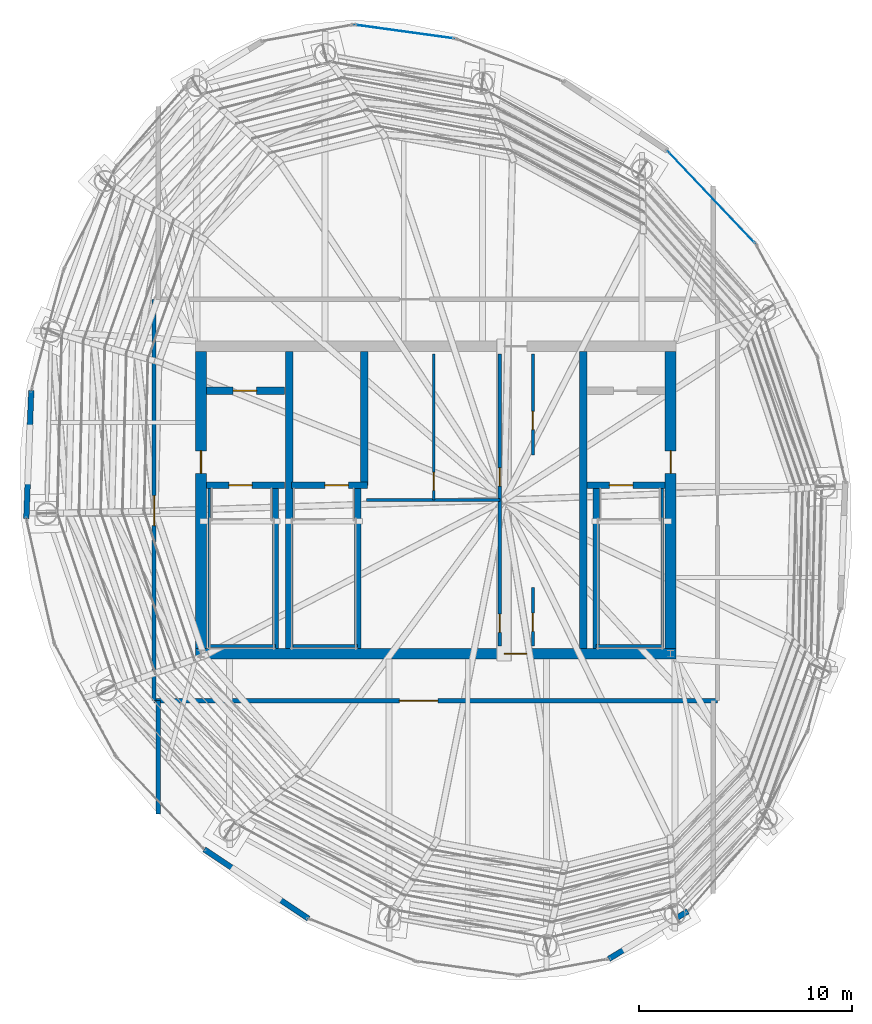
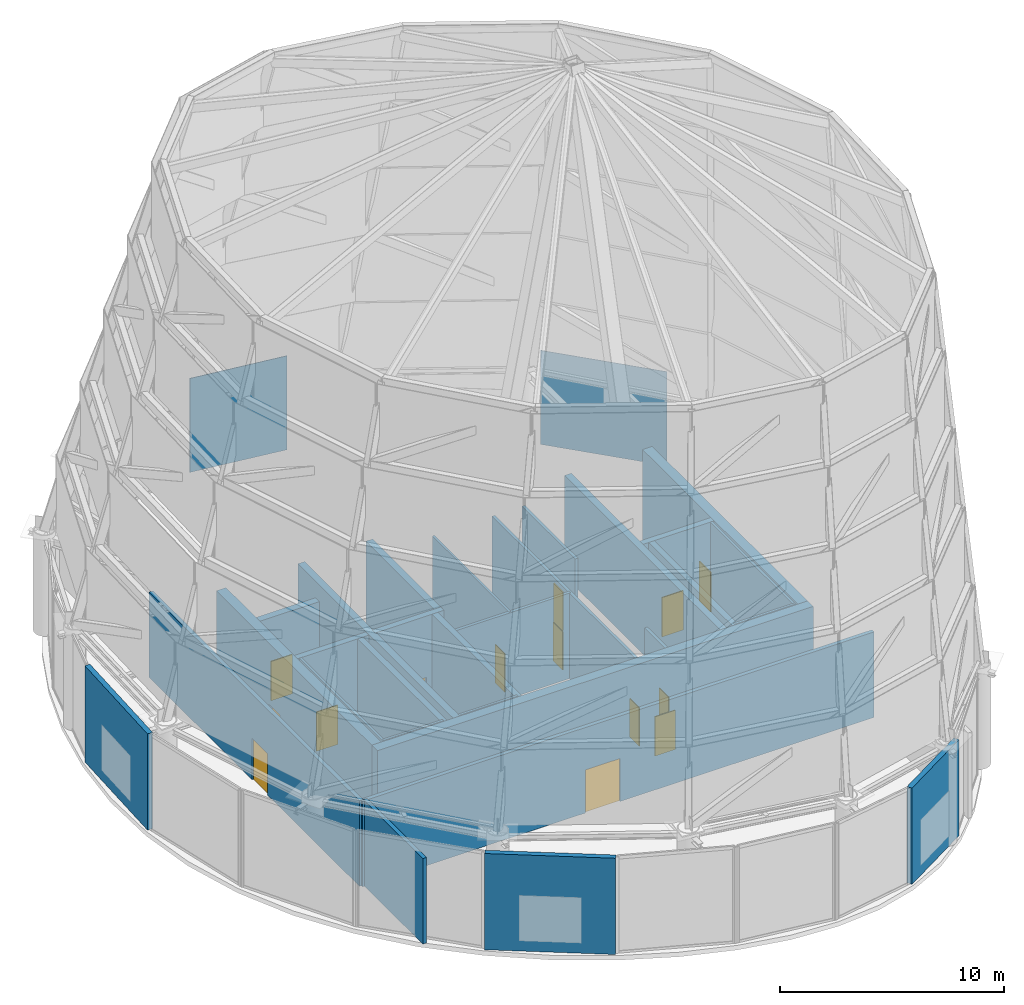
# One storey, part 38 of 40: 29 walls, 14 doors, 2 plates, 14 openings, 2 elements without a shape of their own.
"""IFC4 building model written with IfcOpenShell, lengths in metres."""

from ifc_helpers import new_model, si_unit, direction, frame, frame_2d, origin, origin_2d, place, context, subcontext, project, spatial, rectangle, extrude, material, layer, layer_set, type_object, element, fill, aggregate, save


model = new_model("IFC4")

# Units and contexts
model_context = context("Model", 3, precision=1e-05, world=origin(), true_north=direction((0.0, 1.0)))
body_context = subcontext(model_context, "Body", "Model", "MODEL_VIEW")
ifc_project = project(units=[si_unit("LENGTHUNIT", "METRE"), si_unit("AREAUNIT", "SQUARE_METRE"), si_unit("VOLUMEUNIT", "CUBIC_METRE"), si_unit("PLANEANGLEUNIT", "RADIAN"), si_unit("MASSUNIT", "GRAM", prefix="KILO")], contexts=[model_context])

# Site, building, storey
site_placement = place(None, origin())
site = spatial("IfcSite", under=ifc_project, at=site_placement, CompositionType="ELEMENT")
building_placement = place(site_placement, origin())
building = spatial("IfcBuilding", under=site, at=building_placement, Name="Bramvorn Convention Spire", CompositionType="ELEMENT")
storey_placement = place(building_placement, frame((0.0, 0.0, 312.5)))
storey = spatial("IfcBuildingStorey", under=building, at=storey_placement, Name="L79", CompositionType="ELEMENT", Elevation=312.5)

# Curtain wall, plate
ifc_material_1 = material(Name="Anodised Bronze Unitised Curtain Wall", Category="aluminium")
ifc_layer_1 = layer(ifc_material_1, 0.199951171875)
ifc_layer_set_1 = layer_set([ifc_layer_1], Name="Anodised Bronze Unitised Curtain Wall - CW-CROWN-SPIRE")
curtain_wall_type = type_object("IfcCurtainWallType", Name="CW-CROWN-SPIRE", PredefinedType="USERDEFINED", material=ifc_layer_set_1)
curtain_wall_1_placement = place(storey_placement, origin())
curtain_wall_1 = element("IfcCurtainWall", 1, at=curtain_wall_1_placement, inside=storey, type_object=curtain_wall_type, Name="L79 fritted glass curtain wall 08", ObjectType="UNITISED CURTAIN WALL", PredefinedType="USERDEFINED")
ifc_material_2 = material(Name="Laminated Low-E Glass (Triple IGU High-VLT Low-Iron 22%)", Category="glass")
ifc_layer_2 = layer(ifc_material_2, 0.0419921875)
ifc_layer_set_2 = layer_set([ifc_layer_2], Name="Laminated Low-E Glass (Triple IGU High-VLT Low-Iron 22%) - PNL-IGU-4")
plate_type = type_object("IfcPlateType", Name="PNL-IGU-4", PredefinedType="CURTAIN_PANEL", material=ifc_layer_set_2)
plate_1_placement = place(storey_placement, frame((50.91943359375, 40.186279296875, 0.06005859375), z_axis=(0.0, 0.0, 1.0), x_axis=(0.688513915149, -0.725223130248, 0.0)))
plate_1 = element("IfcPlate", 2, at=plate_1_placement, type_object=plate_type, Name="CW6 panel 1.1", PredefinedType="CURTAIN_PANEL", context=body_context, shape_type="SweptSolid", body=[
    extrude(rectangle(XDim=5.894775390625, YDim=0.028076171875, at=origin_2d()), origin(), (0.0, 0.0, 1.0), 5.1298828125),
])
aggregate(curtain_wall_1, [plate_1])

curtain_wall_2_placement = place(storey_placement, origin())
curtain_wall_2 = element("IfcCurtainWall", 3, at=curtain_wall_2_placement, inside=storey, type_object=curtain_wall_type, Name="L79 fritted glass curtain wall 11", ObjectType="UNITISED CURTAIN WALL", PredefinedType="USERDEFINED")
plate_2_placement = place(storey_placement, frame((36.5400390625, 47.944091796875, 0.06005859375), z_axis=(0.0, 0.0, 1.0), x_axis=(0.990621420312, -0.136635286872, 0.0)))
plate_2 = element("IfcPlate", 4, at=plate_2_placement, type_object=plate_type, Name="CW6 panel 1.1", PredefinedType="CURTAIN_PANEL", context=body_context, shape_type="SweptSolid", body=[
    extrude(rectangle(XDim=4.690673828125, YDim=0.028076171875, at=origin_2d()), origin(), (0.0, 0.0, 1.0), 5.1298828125),
])
aggregate(curtain_wall_2, [plate_2])

# Wall, opening, door
ifc_material_3 = material(Name="Concrete C50/60", Category="concrete")
ifc_layer_3 = layer(ifc_material_3, 0.5)
ifc_layer_set_3 = layer_set([ifc_layer_3], Name="Concrete C50/60 - WL-CORE-500")
wall_type_1 = type_object("IfcWallType", Name="WL-CORE-500", PredefinedType="SHEAR", material=ifc_layer_set_3)
wall_1_placement = place(storey_placement, frame((26.75, 18.800048828125, 0.0), z_axis=(0.0, 0.0, 1.0), x_axis=(1.0, 0.0, 0.0)))
wall_1 = element("IfcWall", 5, at=wall_1_placement, inside=storey, type_object=wall_type_1, Name="L79 South RC core shear wall", PredefinedType="SHEAR", context=body_context, shape_type="SweptSolid", body=[
    extrude(rectangle(XDim=22.5, YDim=0.5, at=frame_2d((11.25, 0.0))), origin(), (0.0, 0.0, 1.0), 5.5),
])
opening_1_placement = place(wall_1_placement, frame((14.469970703125, 0.0, 0.0)))
opening_1 = element("IfcOpeningElement", 6, at=opening_1_placement, cuts=wall_1, Name="Opening DL-105", PredefinedType="OPENING", context=body_context, shape_type="SweptSolid", body=[
    extrude(rectangle(XDim=1.050048828125, YDim=2.14990234375, at=frame_2d((0.52490234375, 1.074951171875))), frame((0.0, 0.260009765625, 0.0), z_axis=(0.0, -1.0, 0.0), x_axis=(1.0, 0.0, 0.0)), (0.0, 0.0, 1.0), 0.52001953125),
])
ifc_material_4 = material(Name="Smoke-Sealed Fire Lobby Timber-Core Door", Category="wood")
door_type_1 = type_object("IfcDoorType", Name="DR-LOBBY-1050", OperationType="NOTDEFINED", PredefinedType="DOOR", material=ifc_material_4)
door_1_placement = place(opening_1_placement, origin())
door_1 = element("IfcDoor", 7, at=door_1_placement, inside=storey, type_object=door_type_1, Name="L79 South Lift Lobby fire door", OperationType="SINGLE_SWING_RIGHT", OverallHeight=2.14990234375, OverallWidth=1.050048828125, PredefinedType="DOOR", context=body_context, shape_type="SweptSolid", body=[
    extrude(rectangle(XDim=1.050048828125, YDim=2.14990234375, at=frame_2d((0.52490234375, 1.074951171875))), frame((0.0, 0.02490234375, 0.0), z_axis=(0.0, -1.0, 0.0), x_axis=(1.0, 0.0, 0.0)), (0.0, 0.0, 1.0), 0.050048828125),
])
fill(opening_1, door_1)

wall_2_placement = place(storey_placement, frame((27.0, 19.050048828125, 0.0), z_axis=(0.0, 0.0, 1.0), x_axis=(0.0, 1.0, 0.0)))
wall_2 = element("IfcWall", 8, at=wall_2_placement, inside=storey, type_object=wall_type_1, Name="L79 West RC core shear wall", PredefinedType="SHEAR", context=body_context, shape_type="SweptSolid", body=[
    extrude(rectangle(XDim=13.89990234375, YDim=0.5, at=frame_2d((6.949951171875, 0.0))), origin(), (0.0, 0.0, 1.0), 5.5),
])
opening_2_placement = place(wall_2_placement, frame((8.199951171875, 0.0, 0.0)))
opening_2 = element("IfcOpeningElement", 9, at=opening_2_placement, cuts=wall_2, Name="Opening DL-105", PredefinedType="OPENING", context=body_context, shape_type="SweptSolid", body=[
    extrude(rectangle(XDim=1.050048828125, YDim=2.14990234375, at=frame_2d((0.52490234375, 1.074951171875))), frame((0.0, 0.260009765625, 0.0), z_axis=(0.0, -1.0, 0.0), x_axis=(1.0, 0.0, 0.0)), (0.0, 0.0, 1.0), 0.52001953125),
])
door_2_placement = place(opening_2_placement, origin())
door_2 = element("IfcDoor", 10, at=door_2_placement, inside=storey, type_object=door_type_1, Name="L79 West Firefighting Lobby corridor door", OperationType="SINGLE_SWING_RIGHT", OverallHeight=2.14990234375, OverallWidth=1.050048828125, PredefinedType="DOOR", context=body_context, shape_type="SweptSolid", body=[
    extrude(rectangle(XDim=1.050048828125, YDim=2.14990234375, at=frame_2d((0.52490234375, 1.074951171875))), frame((0.0, 0.02490234375, 0.0), z_axis=(0.0, -1.0, 0.0), x_axis=(1.0, 0.0, 0.0)), (0.0, 0.0, 1.0), 0.050048828125),
])
fill(opening_2, door_2)

wall_3_placement = place(storey_placement, frame((49.0, 19.050048828125, 0.0), z_axis=(0.0, 0.0, 1.0), x_axis=(0.0, 1.0, 0.0)))
wall_3 = element("IfcWall", 11, at=wall_3_placement, inside=storey, type_object=wall_type_1, Name="L79 East RC core shear wall", PredefinedType="SHEAR", context=body_context, shape_type="SweptSolid", body=[
    extrude(rectangle(XDim=13.89990234375, YDim=0.5, at=frame_2d((6.949951171875, 0.0))), origin(), (0.0, 0.0, 1.0), 5.5),
])
opening_3_placement = place(wall_3_placement, frame((8.199951171875, 0.0, 0.0)))
opening_3 = element("IfcOpeningElement", 12, at=opening_3_placement, cuts=wall_3, Name="Opening DL-105", PredefinedType="OPENING", context=body_context, shape_type="SweptSolid", body=[
    extrude(rectangle(XDim=1.050048828125, YDim=2.14990234375, at=frame_2d((0.52490234375, 1.074951171875))), frame((0.0, 0.260009765625, 0.0), z_axis=(0.0, -1.0, 0.0), x_axis=(1.0, 0.0, 0.0)), (0.0, 0.0, 1.0), 0.52001953125),
])
door_3_placement = place(opening_3_placement, origin())
door_3 = element("IfcDoor", 13, at=door_3_placement, inside=storey, type_object=door_type_1, Name="L79 East Firefighting Lobby corridor door", OperationType="SINGLE_SWING_LEFT", OverallHeight=2.14990234375, OverallWidth=1.050048828125, PredefinedType="DOOR", context=body_context, shape_type="SweptSolid", body=[
    extrude(rectangle(XDim=1.050048828125, YDim=2.14990234375, at=frame_2d((0.52490234375, 1.074951171875))), frame((0.0, 0.02490234375, 0.0), z_axis=(0.0, -1.0, 0.0), x_axis=(1.0, 0.0, 0.0)), (0.0, 0.0, 1.0), 0.050048828125),
])
fill(opening_3, door_3)

# Walls
ifc_layer_4 = layer(ifc_material_3, 0.35009765625)
ifc_layer_set_4 = layer_set([ifc_layer_4], Name="Concrete C50/60 - WL-CORE-INT-350")
wall_type_2 = type_object("IfcWallType", Name="WL-CORE-INT-350", PredefinedType="SHEAR", material=ifc_layer_set_4)
for number, where, z_axis, x_axis, name in (
    (14, (31.1298828125, 19.050048828125, 0.0), (0.0, 0.0, 1.0), (0.0, 1.0, 0.0), "L79 West internal core shear web"),
    (15, (44.89990234375, 19.050048828125, 0.0), (0.0, 0.0, 1.0), (0.0, 1.0, 0.0), "L79 East internal core shear web"),
):
    element("IfcWall", number, at=place(storey_placement, frame(where, z_axis=z_axis, x_axis=x_axis)), inside=storey, type_object=wall_type_2, Name=name, PredefinedType="SHEAR", context=body_context, shape_type="SweptSolid", body=[
        extrude(rectangle(XDim=13.89990234375, YDim=0.35009765625, at=frame_2d((6.949951171875, 0.0))), origin(), (0.0, 0.0, 1.0), 5.5),
    ])

# Wall, opening, door
wall_4_placement = place(storey_placement, frame((27.25, 31.1201171875, 0.0), z_axis=(0.0, 0.0, 1.0), x_axis=(1.0, 0.0, 0.0)))
wall_4 = element("IfcWall", 16, at=wall_4_placement, inside=storey, type_object=wall_type_2, Name="L79 FE1 shaft front wall", PredefinedType="SHEAR", context=body_context, shape_type="SweptSolid", body=[
    extrude(rectangle(XDim=3.669921875, YDim=0.35009765625, at=frame_2d((1.8349609375, 0.0))), origin(), (0.0, 0.0, 1.0), 4.6650390625),
])
opening_4_placement = place(wall_4_placement, frame((1.25, 0.0, 0.0)))
opening_4 = element("IfcOpeningElement", 17, at=opening_4_placement, cuts=wall_4, Name="Opening LD-110", PredefinedType="OPENING", context=body_context, shape_type="SweptSolid", body=[
    extrude(rectangle(XDim=1.10009765625, YDim=2.14990234375, at=frame_2d((0.550048828125, 1.074951171875))), frame((0.0, 0.18505859375, 0.0), z_axis=(0.0, -1.0, 0.0), x_axis=(1.0, 0.0, 0.0)), (0.0, 0.0, 1.0), 0.3701171875),
])
ifc_material_5 = material(Name="Firefighting & Service Lift Sliding Landing Door", Category="steel")
door_type_2 = type_object("IfcDoorType", Name="DR-LIFT-LD-1100", OperationType="NOTDEFINED", PredefinedType="DOOR", material=ifc_material_5)
door_4_placement = place(opening_4_placement, origin())
door_4 = element("IfcDoor", 18, at=door_4_placement, inside=storey, type_object=door_type_2, Name="L79 Lift FE1 Sliding Landing Door", OperationType="SLIDING_TO_LEFT", OverallHeight=2.14990234375, OverallWidth=1.10009765625, PredefinedType="DOOR", context=body_context, shape_type="SweptSolid", body=[
    extrude(rectangle(XDim=1.10009765625, YDim=2.14990234375, at=frame_2d((0.550048828125, 1.074951171875))), frame((0.0, 0.02490234375, 0.0), z_axis=(0.0, -1.0, 0.0), x_axis=(1.0, 0.0, 0.0)), (0.0, 0.0, 1.0), 0.050048828125),
])
fill(opening_4, door_4)

# Walls
wall_5_placement = place(storey_placement, frame((34.639892578125, 26.68994140625, 0.0), z_axis=(0.0, 0.0, 1.0), x_axis=(0.0, 1.0, 0.0)))
element("IfcWall", 19, at=wall_5_placement, inside=storey, type_object=wall_type_2, Name="L79 SV east core shaft wall", PredefinedType="SHEAR", context=body_context, shape_type="SweptSolid", body=[
    extrude(rectangle(XDim=6.260009765625, YDim=0.35009765625, at=frame_2d((3.1298828125, 0.0))), origin(), (0.0, 0.0, 1.0), 5.5),
])
ifc_material_6 = material(Name="Precast Concrete C40/50 Insulated Terrace Wall", Category="concrete")
ifc_layer_5 = layer(ifc_material_6, 0.280029296875)
ifc_layer_set_5 = layer_set([ifc_layer_5], Name="Precast Concrete C40/50 Insulated Terrace Wall - WL-EXT-TERR-280")
wall_type_3 = type_object("IfcWallType", Name="WL-EXT-TERR-280", PredefinedType="SOLIDWALL", material=ifc_layer_set_5)
wall_6_placement = place(storey_placement, frame((49.813232421875, 6.731201171875, 0.0), z_axis=(0.0, 0.0, 1.0), x_axis=(-0.856541339089, -0.516078418878, 0.0)))
element("IfcWall", 20, at=wall_6_placement, inside=storey, type_object=wall_type_3, Name="L79 plant floor acoustic louvre breast wall 01", PredefinedType="SOLIDWALL", context=body_context, shape_type="SweptSolid", body=[
    extrude(rectangle(XDim=4.33056640625, YDim=0.260009765625, at=frame_2d((2.165283203125, 0.0))), origin(), (0.0, 0.0, 1.0), 5.25),
])
wall_7_placement = place(storey_placement, frame((18.81494140625, 25.125732421875, 0.0), z_axis=(0.0, 0.0, 1.0), x_axis=(0.03860147882, 0.999254685169, 0.0)))
element("IfcWall", 21, at=wall_7_placement, inside=storey, type_object=wall_type_3, Name="L79 plant floor acoustic louvre breast wall 17", PredefinedType="SOLIDWALL", context=body_context, shape_type="SweptSolid", body=[
    extrude(rectangle(XDim=6.0146484375, YDim=0.260009765625, at=frame_2d((3.00732421875, 0.0))), origin(), (0.0, 0.0, 1.0), 5.25),
])
wall_8_placement = place(storey_placement, frame((32.031982421875, 6.385986328125, 0.0), z_axis=(0.0, 0.0, 1.0), x_axis=(-0.832613733637, 0.553854105843, 0.0)))
element("IfcWall", 22, at=wall_8_placement, inside=storey, type_object=wall_type_3, Name="L79 plant floor acoustic louvre breast wall 21", PredefinedType="SOLIDWALL", context=body_context, shape_type="SweptSolid", body=[
    extrude(rectangle(XDim=5.86181640625, YDim=0.260009765625, at=frame_2d((2.930908203125, 0.0))), origin(), (0.0, 0.0, 1.0), 5.25),
])

# Wall, opening, door
ifc_material_7 = material(Name="Lightweight En-Suite & Wet-Wall Partition", Category="gypsum")
ifc_layer_6 = layer(ifc_material_7, 0.110107421875)
ifc_layer_set_6 = layer_set([ifc_layer_6], Name="Lightweight En-Suite & Wet-Wall Partition - WL-PART-110")
wall_type_4 = type_object("IfcWallType", Name="WL-PART-110", PredefinedType="PARTITIONING", material=ifc_layer_set_6)
wall_9_placement = place(storey_placement, frame((37.89990234375, 26.0, 0.0), z_axis=(0.0, 0.0, 1.0), x_axis=(0.0, 1.0, 0.0)))
wall_9 = element("IfcWall", 23, at=wall_9_placement, inside=storey, type_object=wall_type_4, Name="L79 Core restroom subwall", PredefinedType="PARTITIONING", context=body_context, shape_type="SweptSolid", body=[
    extrude(rectangle(XDim=6.85009765625, YDim=0.110107421875, at=frame_2d((3.425048828125, 0.0))), origin(), (0.0, 0.0, 1.0), 4.6650390625),
])
opening_5_placement = place(wall_9_placement, frame((0.449951171875, 0.0, 0.0)))
opening_5 = element("IfcOpeningElement", 24, at=opening_5_placement, cuts=wall_9, Name="Opening DC-085", PredefinedType="OPENING", context=body_context, shape_type="SweptSolid", body=[
    extrude(rectangle(XDim=0.85009765625, YDim=2.10009765625, at=frame_2d((0.425048828125, 1.050048828125))), frame((0.0, 0.06494140625, 0.0), z_axis=(0.0, -1.0, 0.0), x_axis=(1.0, 0.0, 0.0)), (0.0, 0.0, 1.0), 0.130126953125),
])
ifc_material_8 = material(Name="Fire-Rated Core Washroom & IDF Door", Category="wood")
door_type_3 = type_object("IfcDoorType", Name="DR-CORE-850", OperationType="NOTDEFINED", PredefinedType="DOOR", material=ifc_material_8)
door_5_placement = place(opening_5_placement, origin())
door_5 = element("IfcDoor", 25, at=door_5_placement, inside=storey, type_object=door_type_3, Name="L79 Core telecom store door", OperationType="SINGLE_SWING_LEFT", OverallHeight=2.10009765625, OverallWidth=0.85009765625, PredefinedType="DOOR", context=body_context, shape_type="SweptSolid", body=[
    extrude(rectangle(XDim=0.85009765625, YDim=2.10009765625, at=frame_2d((0.425048828125, 1.050048828125))), frame((0.0, 0.02490234375, 0.0), z_axis=(0.0, -1.0, 0.0), x_axis=(1.0, 0.0, 0.0)), (0.0, 0.0, 1.0), 0.050048828125),
])
fill(opening_5, door_5)

# Wall, openings, doors
ifc_material_9 = material(Name="Acoustic Metal-Stud Tenant/Corridor Partition", Category="gypsum")
ifc_layer_7 = layer(ifc_material_9, 0.14990234375)
ifc_layer_set_7 = layer_set([ifc_layer_7], Name="Acoustic Metal-Stud Tenant/Corridor Partition - WL-PART-150")
wall_type_5 = type_object("IfcWallType", Name="WL-PART-150", PredefinedType="PARTITIONING", material=ifc_layer_set_7)
wall_10_placement = place(storey_placement, frame((41.0, 19.14990234375, 0.0), z_axis=(0.0, 0.0, 1.0), x_axis=(0.0, 1.0, 0.0)))
wall_10 = element("IfcWall", 26, at=wall_10_placement, inside=storey, type_object=wall_type_5, Name="L79 Core room east wall", PredefinedType="PARTITIONING", context=body_context, shape_type="SweptSolid", body=[
    extrude(rectangle(XDim=13.7001953125, YDim=0.14990234375, at=frame_2d((6.85009765625, 0.0))), origin(), (0.0, 0.0, 1.0), 4.6650390625),
])
opening_6_placement = place(wall_10_placement, frame((0.64990234375, 0.0, 0.0)))
opening_6 = element("IfcOpeningElement", 27, at=opening_6_placement, cuts=wall_10, Name="Opening DC-085", PredefinedType="OPENING", context=body_context, shape_type="SweptSolid", body=[
    extrude(rectangle(XDim=0.85009765625, YDim=2.10009765625, at=frame_2d((0.425048828125, 1.050048828125))), frame((0.0, 0.0849609375, 0.0), z_axis=(0.0, -1.0, 0.0), x_axis=(1.0, 0.0, 0.0)), (0.0, 0.0, 1.0), 0.169921875),
])
opening_7_placement = place(wall_10_placement, frame((7.5, 0.0, 0.0)))
opening_7 = element("IfcOpeningElement", 28, at=opening_7_placement, cuts=wall_10, Name="Opening DC-085", PredefinedType="OPENING", context=body_context, shape_type="SweptSolid", body=[
    extrude(rectangle(XDim=0.85009765625, YDim=2.10009765625, at=frame_2d((0.425048828125, 1.050048828125))), frame((0.0, 0.0849609375, 0.0), z_axis=(0.0, -1.0, 0.0), x_axis=(1.0, 0.0, 0.0)), (0.0, 0.0, 1.0), 0.169921875),
])
door_6_placement = place(opening_6_placement, origin())
door_6 = element("IfcDoor", 29, at=door_6_placement, inside=storey, type_object=door_type_3, Name="L79 Core room 1 door", OperationType="SINGLE_SWING_LEFT", OverallHeight=2.10009765625, OverallWidth=0.85009765625, PredefinedType="DOOR", context=body_context, shape_type="SweptSolid", body=[
    extrude(rectangle(XDim=0.85009765625, YDim=2.10009765625, at=frame_2d((0.425048828125, 1.050048828125))), frame((0.0, 0.02490234375, 0.0), z_axis=(0.0, -1.0, 0.0), x_axis=(1.0, 0.0, 0.0)), (0.0, 0.0, 1.0), 0.050048828125),
])
fill(opening_6, door_6)
door_7_placement = place(opening_7_placement, origin())
door_7 = element("IfcDoor", 30, at=door_7_placement, inside=storey, type_object=door_type_3, Name="L79 Core room 2 door", OperationType="SINGLE_SWING_LEFT", OverallHeight=2.10009765625, OverallWidth=0.85009765625, PredefinedType="DOOR", context=body_context, shape_type="SweptSolid", body=[
    extrude(rectangle(XDim=0.85009765625, YDim=2.10009765625, at=frame_2d((0.425048828125, 1.050048828125))), frame((0.0, 0.02490234375, 0.0), z_axis=(0.0, -1.0, 0.0), x_axis=(1.0, 0.0, 0.0)), (0.0, 0.0, 1.0), 0.050048828125),
])
fill(opening_7, door_7)

# Wall
wall_11_placement = place(storey_placement, frame((34.75, 26.0, 0.0), z_axis=(0.0, 0.0, 1.0), x_axis=(1.0, 0.0, 0.0)))
element("IfcWall", 31, at=wall_11_placement, inside=storey, type_object=wall_type_5, Name="L79 Core room divider", PredefinedType="PARTITIONING", context=body_context, shape_type="SweptSolid", body=[
    extrude(rectangle(XDim=6.25, YDim=0.14990234375, at=frame_2d((3.125, 0.0))), origin(), (0.0, 0.0, 1.0), 4.6650390625),
])

# Wall, opening, door
wall_12_placement = place(storey_placement, frame((42.550048828125, 28.10009765625, 0.0), z_axis=(0.0, 0.0, 1.0), x_axis=(0.0, 1.0, 0.0)))
wall_12 = element("IfcWall", 32, at=wall_12_placement, inside=storey, type_object=wall_type_5, Name="L79 Core NE store wall", PredefinedType="PARTITIONING", context=body_context, shape_type="SweptSolid", body=[
    extrude(rectangle(XDim=4.75, YDim=0.14990234375, at=frame_2d((2.375, 0.0))), origin(), (0.0, 0.0, 1.0), 4.6650390625),
])
opening_8_placement = place(wall_12_placement, frame((1.199951171875, 0.0, 0.0)))
opening_8 = element("IfcOpeningElement", 33, at=opening_8_placement, cuts=wall_12, Name="Opening DC-085", PredefinedType="OPENING", context=body_context, shape_type="SweptSolid", body=[
    extrude(rectangle(XDim=0.85009765625, YDim=2.10009765625, at=frame_2d((0.425048828125, 1.050048828125))), frame((0.0, 0.0849609375, 0.0), z_axis=(0.0, -1.0, 0.0), x_axis=(1.0, 0.0, 0.0)), (0.0, 0.0, 1.0), 0.169921875),
])
door_8_placement = place(opening_8_placement, origin())
door_8 = element("IfcDoor", 34, at=door_8_placement, inside=storey, type_object=door_type_3, Name="L79 Core NE store door", OperationType="SINGLE_SWING_LEFT", OverallHeight=2.10009765625, OverallWidth=0.85009765625, PredefinedType="DOOR", context=body_context, shape_type="SweptSolid", body=[
    extrude(rectangle(XDim=0.85009765625, YDim=2.10009765625, at=frame_2d((0.425048828125, 1.050048828125))), frame((0.0, 0.02490234375, 0.0), z_axis=(0.0, -1.0, 0.0), x_axis=(1.0, 0.0, 0.0)), (0.0, 0.0, 1.0), 0.050048828125),
])
fill(opening_8, door_8)

wall_13_placement = place(storey_placement, frame((42.550048828125, 19.14990234375, 0.0), z_axis=(0.0, 0.0, 1.0), x_axis=(0.0, 1.0, 0.0)))
wall_13 = element("IfcWall", 35, at=wall_13_placement, inside=storey, type_object=wall_type_5, Name="L79 Core SE riser wall", PredefinedType="PARTITIONING", context=body_context, shape_type="SweptSolid", body=[
    extrude(rectangle(XDim=2.75, YDim=0.14990234375, at=frame_2d((1.375, 0.0))), origin(), (0.0, 0.0, 1.0), 4.6650390625),
])
opening_9_placement = place(wall_13_placement, frame((0.699951171875, 0.0, 0.0)))
opening_9 = element("IfcOpeningElement", 36, at=opening_9_placement, cuts=wall_13, Name="Opening DC-085", PredefinedType="OPENING", context=body_context, shape_type="SweptSolid", body=[
    extrude(rectangle(XDim=0.85009765625, YDim=2.10009765625, at=frame_2d((0.425048828125, 1.050048828125))), frame((0.0, 0.0849609375, 0.0), z_axis=(0.0, -1.0, 0.0), x_axis=(1.0, 0.0, 0.0)), (0.0, 0.0, 1.0), 0.169921875),
])
door_9_placement = place(opening_9_placement, origin())
door_9 = element("IfcDoor", 37, at=door_9_placement, inside=storey, type_object=door_type_3, Name="L79 Core SE riser door", OperationType="SINGLE_SWING_LEFT", OverallHeight=2.10009765625, OverallWidth=0.85009765625, PredefinedType="DOOR", context=body_context, shape_type="SweptSolid", body=[
    extrude(rectangle(XDim=0.85009765625, YDim=2.10009765625, at=frame_2d((0.425048828125, 1.050048828125))), frame((0.0, 0.02490234375, 0.0), z_axis=(0.0, -1.0, 0.0), x_axis=(1.0, 0.0, 0.0)), (0.0, 0.0, 1.0), 0.050048828125),
])
fill(opening_9, door_9)

ifc_material_10 = material(Name="Gypsum Shaftwall & Rockwool Core Partition", Category="gypsum")
ifc_layer_8 = layer(ifc_material_10, 0.199951171875)
ifc_layer_set_8 = layer_set([ifc_layer_8], Name="Gypsum Shaftwall & Rockwool Core Partition - WL-PART-200-FR")
wall_type_6 = type_object("IfcWallType", Name="WL-PART-200-FR", PredefinedType="PARTITIONING", material=ifc_layer_set_8)
wall_14_placement = place(storey_placement, frame((24.800048828125, 16.60009765625, 0.0), z_axis=(0.0, 0.0, 1.0), x_axis=(1.0, 0.0, 0.0)))
wall_14 = element("IfcWall", 38, at=wall_14_placement, inside=storey, type_object=wall_type_6, Name="L79 Refuge corridor south wall", PredefinedType="PARTITIONING", context=body_context, shape_type="SweptSolid", body=[
    extrude(rectangle(XDim=26.39990234375, YDim=0.199951171875, at=frame_2d((13.199951171875, 0.0))), origin(), (0.0, 0.0, 1.0), 4.6650390625),
])
opening_10_placement = place(wall_14_placement, frame((11.5, 0.0, 0.0)))
opening_10 = element("IfcOpeningElement", 39, at=opening_10_placement, cuts=wall_14, Name="Opening DH-180", PredefinedType="OPENING", context=body_context, shape_type="SweptSolid", body=[
    extrude(rectangle(XDim=1.800048828125, YDim=2.35009765625, at=frame_2d((0.89990234375, 1.175048828125))), frame((0.0, 0.10986328125, 0.0), z_axis=(0.0, -1.0, 0.0), x_axis=(1.0, 0.0, 0.0)), (0.0, 0.0, 1.0), 0.219970703125),
])
ifc_material_11 = material(Name="Double-Leaf Acoustic Assembly Hall Door", Category="wood")
door_type_4 = type_object("IfcDoorType", Name="DR-HALL-1800", OperationType="NOTDEFINED", PredefinedType="DOOR", material=ifc_material_11)
door_10_placement = place(opening_10_placement, origin())
door_10 = element("IfcDoor", 40, at=door_10_placement, inside=storey, type_object=door_type_4, Name="L79 Pressurised Area of Refuge door", OperationType="DOUBLE_DOOR_SINGLE_SWING", OverallHeight=2.35009765625, OverallWidth=1.800048828125, PredefinedType="DOOR", context=body_context, shape_type="SweptSolid", body=[
    extrude(rectangle(XDim=1.800048828125, YDim=2.35009765625, at=frame_2d((0.89990234375, 1.175048828125))), frame((0.0, 0.02490234375, 0.0), z_axis=(0.0, -1.0, 0.0), x_axis=(1.0, 0.0, 0.0)), (0.0, 0.0, 1.0), 0.050048828125),
])
fill(opening_10, door_10)

wall_15_placement = place(storey_placement, frame((24.800048828125, 16.60009765625, 0.0), z_axis=(0.0, 0.0, 1.0), x_axis=(0.0, 1.0, 0.0)))
wall_15 = element("IfcWall", 41, at=wall_15_placement, inside=storey, type_object=wall_type_6, Name="L79 Plant corridor west wall", PredefinedType="PARTITIONING", context=body_context, shape_type="SweptSolid", body=[
    extrude(rectangle(XDim=18.7998046875, YDim=0.199951171875, at=frame_2d((9.39990234375, 0.0))), origin(), (0.0, 0.0, 1.0), 4.6650390625),
])
opening_11_placement = place(wall_15_placement, frame((8.199951171875, 0.0, 0.0)))
opening_11 = element("IfcOpeningElement", 42, at=opening_11_placement, cuts=wall_15, Name="Opening DP-140", PredefinedType="OPENING", context=body_context, shape_type="SweptSolid", body=[
    extrude(rectangle(XDim=1.39990234375, YDim=2.25, at=frame_2d((0.699951171875, 1.125))), frame((0.0, 0.10986328125, 0.0), z_axis=(0.0, -1.0, 0.0), x_axis=(1.0, 0.0, 0.0)), (0.0, 0.0, 1.0), 0.219970703125),
])
ifc_material_12 = material(Name="Heavy-Duty Acoustic Louvre Plant Room Door", Category="steel")
door_type_5 = type_object("IfcDoorType", Name="DR-PLANT-1400", OperationType="NOTDEFINED", PredefinedType="DOOR", material=ifc_material_12)
door_11_placement = place(opening_11_placement, origin())
door_11 = element("IfcDoor", 43, at=door_11_placement, inside=storey, type_object=door_type_5, Name="L79 Hydronic Booster & Heat-Exchanger Plant door", OperationType="DOUBLE_DOOR_SINGLE_SWING", OverallHeight=2.25, OverallWidth=1.39990234375, PredefinedType="DOOR", context=body_context, shape_type="SweptSolid", body=[
    extrude(rectangle(XDim=1.39990234375, YDim=2.25, at=frame_2d((0.699951171875, 1.125))), frame((0.0, 0.02490234375, 0.0), z_axis=(0.0, -1.0, 0.0), x_axis=(1.0, 0.0, 0.0)), (0.0, 0.0, 1.0), 0.050048828125),
])
fill(opening_11, door_11)

# Wall
wall_16_placement = place(storey_placement, frame((25.0, 11.283203125, 0.0), z_axis=(0.0, 0.0, 1.0), x_axis=(0.0, 1.0, 0.0)))
element("IfcWall", 44, at=wall_16_placement, inside=storey, type_object=wall_type_6, Name="L79 Compartment fire wall", PredefinedType="PARTITIONING", context=body_context, shape_type="SweptSolid", body=[
    extrude(rectangle(XDim=5.31689453125, YDim=0.199951171875, at=frame_2d((2.658447265625, 0.0))), origin(), (0.0, 0.0, 1.0), 4.6650390625),
])

# Wall, opening, door
ifc_layer_9 = layer(ifc_material_3, 0.300048828125)
ifc_layer_set_9 = layer_set([ifc_layer_9], Name="Concrete C50/60 - WL-POD-STAIR-300")
wall_type_7 = type_object("IfcWallType", Name="WL-POD-STAIR-300", PredefinedType="SHEAR", material=ifc_layer_set_9)
wall_17_placement = place(storey_placement, frame((27.25, 26.68994140625, 0.0), z_axis=(0.0, 0.0, 1.0), x_axis=(1.0, 0.0, 0.0)))
wall_17 = element("IfcWall", 45, at=wall_17_placement, inside=storey, type_object=wall_type_7, Name="L79 ST1 north fire wall", PredefinedType="SHEAR", context=body_context, shape_type="SweptSolid", body=[
    extrude(rectangle(XDim=3.669921875, YDim=0.300048828125, at=frame_2d((1.8349609375, 0.0))), origin(), (0.0, 0.0, 1.0), 5.5),
])
opening_12_placement = place(wall_17_placement, frame((1.050048828125, 0.0, 0.0)))
opening_12 = element("IfcOpeningElement", 46, at=opening_12_placement, cuts=wall_17, Name="Opening DS-110", PredefinedType="OPENING", context=body_context, shape_type="SweptSolid", body=[
    extrude(rectangle(XDim=1.10009765625, YDim=2.14990234375, at=frame_2d((0.550048828125, 1.074951171875))), frame((0.0, 0.159912109375, 0.0), z_axis=(0.0, -1.0, 0.0), x_axis=(1.0, 0.0, 0.0)), (0.0, 0.0, 1.0), 0.320068359375),
])
ifc_material_13 = material(Name="Fire-Rated Hollow Steel Stairwell Door", Category="steel")
door_type_6 = type_object("IfcDoorType", Name="DR-STAIR-1100", OperationType="NOTDEFINED", PredefinedType="DOOR", material=ifc_material_13)
door_12_placement = place(opening_12_placement, origin())
door_12 = element("IfcDoor", 47, at=door_12_placement, inside=storey, type_object=door_type_6, Name="L79 Stair ST1 fire door", OperationType="SINGLE_SWING_LEFT", OverallHeight=2.14990234375, OverallWidth=1.10009765625, PredefinedType="DOOR", context=body_context, shape_type="SweptSolid", body=[
    extrude(rectangle(XDim=1.10009765625, YDim=2.14990234375, at=frame_2d((0.550048828125, 1.074951171875))), frame((0.0, 0.02490234375, 0.0), z_axis=(0.0, -1.0, 0.0), x_axis=(1.0, 0.0, 0.0)), (0.0, 0.0, 1.0), 0.050048828125),
])
fill(opening_12, door_12)

# Wall
wall_18_placement = place(storey_placement, frame((30.489990234375, 19.050048828125, 0.0), z_axis=(0.0, 0.0, 1.0), x_axis=(0.0, 1.0, 0.0)))
element("IfcWall", 48, at=wall_18_placement, inside=storey, type_object=wall_type_7, Name="L79 ST1 east bearing wall", PredefinedType="SHEAR", context=body_context, shape_type="SweptSolid", body=[
    extrude(rectangle(XDim=7.5, YDim=0.300048828125, at=frame_2d((3.75, 0.0))), origin(), (0.0, 0.0, 1.0), 5.5),
])

# Wall, opening, door
wall_19_placement = place(storey_placement, frame((45.080078125, 26.68994140625, 0.0), z_axis=(0.0, 0.0, 1.0), x_axis=(1.0, 0.0, 0.0)))
wall_19 = element("IfcWall", 49, at=wall_19_placement, inside=storey, type_object=wall_type_7, Name="L79 ST2 north fire wall", PredefinedType="SHEAR", context=body_context, shape_type="SweptSolid", body=[
    extrude(rectangle(XDim=3.669921875, YDim=0.300048828125, at=frame_2d((1.8349609375, 0.0))), origin(), (0.0, 0.0, 1.0), 5.5),
])
opening_13_placement = place(wall_19_placement, frame((1.050048828125, 0.0, 0.0)))
opening_13 = element("IfcOpeningElement", 50, at=opening_13_placement, cuts=wall_19, Name="Opening DS-110", PredefinedType="OPENING", context=body_context, shape_type="SweptSolid", body=[
    extrude(rectangle(XDim=1.10009765625, YDim=2.14990234375, at=frame_2d((0.550048828125, 1.074951171875))), frame((0.0, 0.159912109375, 0.0), z_axis=(0.0, -1.0, 0.0), x_axis=(1.0, 0.0, 0.0)), (0.0, 0.0, 1.0), 0.320068359375),
])
door_13_placement = place(opening_13_placement, origin())
door_13 = element("IfcDoor", 51, at=door_13_placement, inside=storey, type_object=door_type_6, Name="L79 Stair ST2 fire door", OperationType="SINGLE_SWING_RIGHT", OverallHeight=2.14990234375, OverallWidth=1.10009765625, PredefinedType="DOOR", context=body_context, shape_type="SweptSolid", body=[
    extrude(rectangle(XDim=1.10009765625, YDim=2.14990234375, at=frame_2d((0.550048828125, 1.074951171875))), frame((0.0, 0.02490234375, 0.0), z_axis=(0.0, -1.0, 0.0), x_axis=(1.0, 0.0, 0.0)), (0.0, 0.0, 1.0), 0.050048828125),
])
fill(opening_13, door_13)

# Walls
for number, where, z_axis, x_axis, name in (
    (52, (45.510009765625, 19.050048828125, 0.0), (0.0, 0.0, 1.0), (0.0, 1.0, 0.0), "L79 ST2 west bearing wall"),
    (53, (34.340087890625, 19.050048828125, 0.0), (0.0, 0.0, 1.0), (0.0, 1.0, 0.0), "L79 ST3 east bearing wall"),
):
    element("IfcWall", number, at=place(storey_placement, frame(where, z_axis=z_axis, x_axis=x_axis)), inside=storey, type_object=wall_type_7, Name=name, PredefinedType="SHEAR", context=body_context, shape_type="SweptSolid", body=[
        extrude(rectangle(XDim=7.5, YDim=0.300048828125, at=frame_2d((3.75, 0.0))), origin(), (0.0, 0.0, 1.0), 5.5),
    ])

# Wall, opening, door
wall_20_placement = place(storey_placement, frame((31.25, 26.68994140625, 0.0), z_axis=(0.0, 0.0, 1.0), x_axis=(1.0, 0.0, 0.0)))
wall_20 = element("IfcWall", 54, at=wall_20_placement, inside=storey, type_object=wall_type_7, Name="L79 ST3 north lobby wall", PredefinedType="SHEAR", context=body_context, shape_type="SweptSolid", body=[
    extrude(rectangle(XDim=3.56005859375, YDim=0.300048828125, at=frame_2d((1.780029296875, 0.0))), origin(), (0.0, 0.0, 1.0), 5.5),
])
opening_14_placement = place(wall_20_placement, frame((1.550048828125, 0.0, 0.0)))
opening_14 = element("IfcOpeningElement", 55, at=opening_14_placement, cuts=wall_20, Name="Opening DS-110", PredefinedType="OPENING", context=body_context, shape_type="SweptSolid", body=[
    extrude(rectangle(XDim=1.10009765625, YDim=2.14990234375, at=frame_2d((0.550048828125, 1.074951171875))), frame((0.0, 0.159912109375, 0.0), z_axis=(0.0, -1.0, 0.0), x_axis=(1.0, 0.0, 0.0)), (0.0, 0.0, 1.0), 0.320068359375),
])
door_14_placement = place(opening_14_placement, origin())
door_14 = element("IfcDoor", 56, at=door_14_placement, inside=storey, type_object=door_type_6, Name="L79 Stair ST3 fire door", OperationType="SINGLE_SWING_LEFT", OverallHeight=2.14990234375, OverallWidth=1.10009765625, PredefinedType="DOOR", context=body_context, shape_type="SweptSolid", body=[
    extrude(rectangle(XDim=1.10009765625, YDim=2.14990234375, at=frame_2d((0.550048828125, 1.074951171875))), frame((0.0, 0.02490234375, 0.0), z_axis=(0.0, -1.0, 0.0), x_axis=(1.0, 0.0, 0.0)), (0.0, 0.0, 1.0), 0.050048828125),
])
fill(opening_14, door_14)

# Walls
ifc_layer_10 = layer(ifc_material_3, 0.1201171875)
ifc_layer_set_10 = layer_set([ifc_layer_10], Name="Concrete C50/60 - WL-STAIR-RC-120")
wall_type_8 = type_object("IfcWallType", Name="WL-STAIR-RC-120", PredefinedType="SHEAR", material=ifc_layer_set_10)
wall_21_placement = place(storey_placement, frame((27.39501953125, 19.10009765625, 0.0), z_axis=(0.0, 0.0, 1.0), x_axis=(0.0, 1.0, 0.0)))
element("IfcWall", 57, at=wall_21_placement, inside=storey, type_object=wall_type_8, Name="L79 ST1 west bearing shear wall", PredefinedType="SHEAR", context=body_context, shape_type="SweptSolid", body=[
    extrude(rectangle(XDim=7.449951171875, YDim=0.1201171875, at=frame_2d((3.72509765625, 0.0))), origin(), (0.0, 0.0, 1.0), 5.5),
])
wall_22_placement = place(storey_placement, frame((27.39501953125, 19.159912109375, 0.0), z_axis=(0.0, 0.0, 1.0), x_axis=(1.0, 0.0, 0.0)))
element("IfcWall", 58, at=wall_22_placement, inside=storey, type_object=wall_type_8, Name="L79 ST1 south bearing shear wall", PredefinedType="SHEAR", context=body_context, shape_type="SweptSolid", body=[
    extrude(rectangle(XDim=3.094970703125, YDim=0.1201171875, at=frame_2d((1.54736328125, 0.0))), origin(), (0.0, 0.0, 1.0), 5.5),
])
wall_23_placement = place(storey_placement, frame((48.60498046875, 19.10009765625, 0.0), z_axis=(0.0, 0.0, 1.0), x_axis=(0.0, 1.0, 0.0)))
element("IfcWall", 59, at=wall_23_placement, inside=storey, type_object=wall_type_8, Name="L79 ST2 east bearing shear wall", PredefinedType="SHEAR", context=body_context, shape_type="SweptSolid", body=[
    extrude(rectangle(XDim=7.449951171875, YDim=0.1201171875, at=frame_2d((3.72509765625, 0.0))), origin(), (0.0, 0.0, 1.0), 5.5),
])
wall_24_placement = place(storey_placement, frame((45.510009765625, 19.159912109375, 0.0), z_axis=(0.0, 0.0, 1.0), x_axis=(1.0, 0.0, 0.0)))
element("IfcWall", 60, at=wall_24_placement, inside=storey, type_object=wall_type_8, Name="L79 ST2 south bearing shear wall", PredefinedType="SHEAR", context=body_context, shape_type="SweptSolid", body=[
    extrude(rectangle(XDim=3.094970703125, YDim=0.1201171875, at=frame_2d((1.54736328125, 0.0))), origin(), (0.0, 0.0, 1.0), 5.5),
])
wall_25_placement = place(storey_placement, frame((31.300048828125, 19.159912109375, 0.0), z_axis=(0.0, 0.0, 1.0), x_axis=(1.0, 0.0, 0.0)))
element("IfcWall", 61, at=wall_25_placement, inside=storey, type_object=wall_type_8, Name="L79 ST3 south bearing shear wall", PredefinedType="SHEAR", context=body_context, shape_type="SweptSolid", body=[
    extrude(rectangle(XDim=3.0400390625, YDim=0.1201171875, at=frame_2d((1.52001953125, 0.0))), origin(), (0.0, 0.0, 1.0), 5.5),
])

save(model, "model.ifc")
